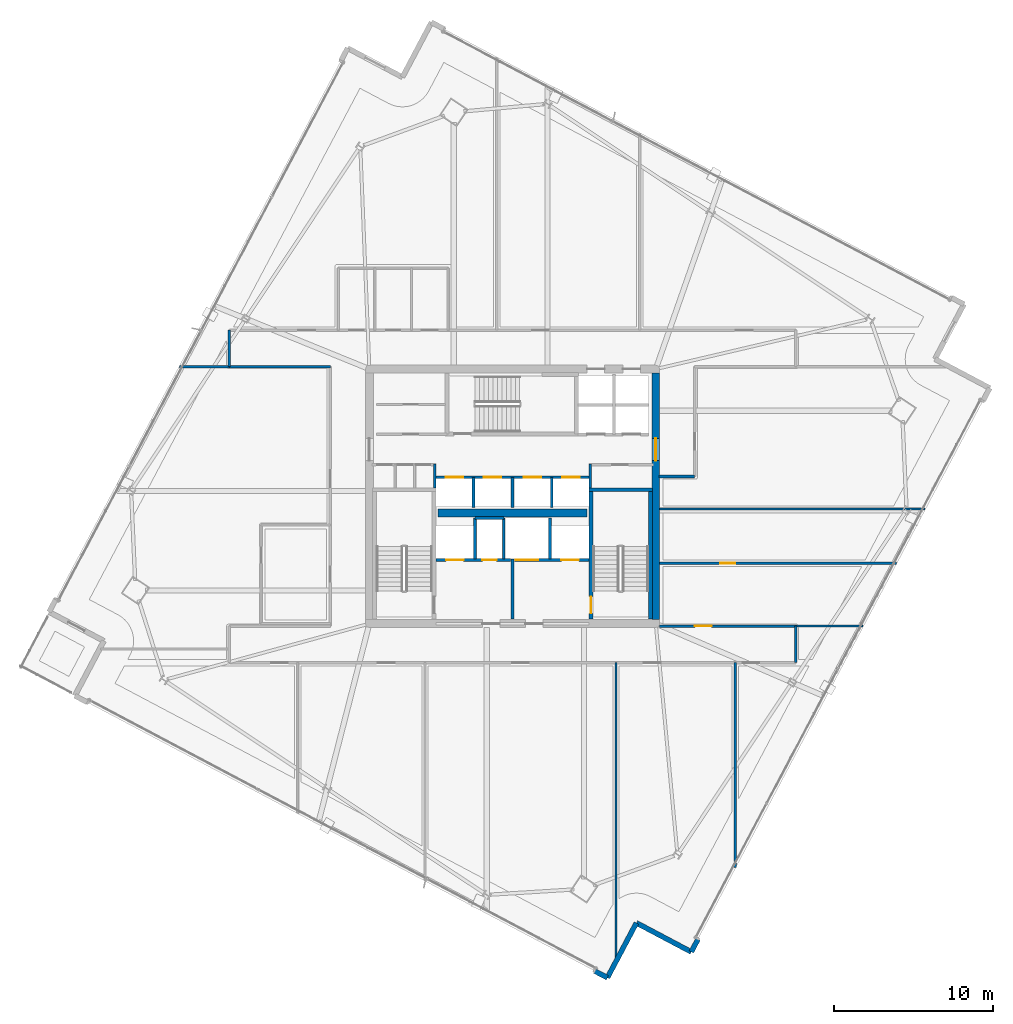
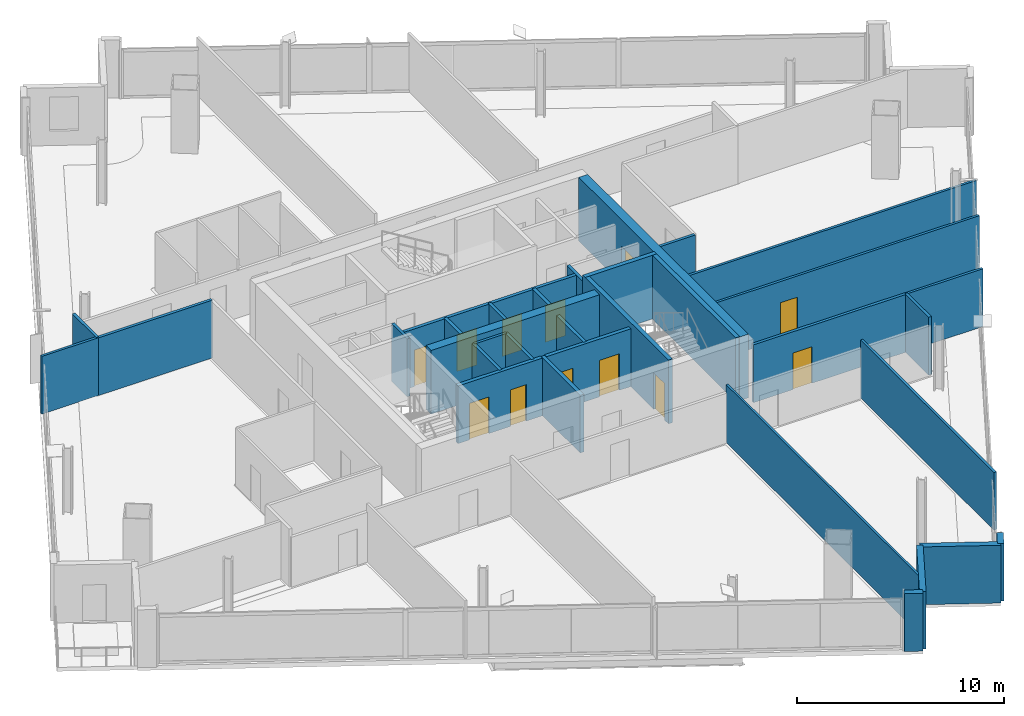
# One storey, part 21 of 28: 33 walls, 12 doors, 12 openings.
"""IFC4 building model written with IfcOpenShell, lengths in metres."""

import ifcopenshell
import ifcopenshell.guid

model = None  # the IFC model being written
_history = None  # IfcOwnerHistory: only IFC2X3 demands one
_inside = {}  # id of a spatial element -> (the spatial element, [elements in it])
_under = {}  # id of a project, library or spatial element -> (it, [spatial elements below it])
_declared = {}  # id of a project -> (the project, [libraries it declares])
_typed = {}  # id of a type object -> (the type object, [elements of that type])
_made_of = {}  # id of a material, layer set ... -> (it, [elements and type objects made of it])


def new_model(schema):
    """Start an empty IFC model of exactly this schema.

    Asked for "IFC4X3", IfcOpenShell would pick the latest addendum, in which some entities
    have other attributes; the version numbers below select the first issue.
    IFC2X3 requires an IfcOwnerHistory on every rooted entity: one is made here for all.
    """
    global model, _history
    if schema == "IFC4X3":
        model = ifcopenshell.file(schema_version=(4, 3, 0, 0))
    else:
        model = ifcopenshell.file(schema=schema)
    _inside.clear()
    _under.clear()
    _declared.clear()
    _typed.clear()
    _made_of.clear()
    _history = None
    if model.schema == "IFC2X3":
        org = make("IfcOrganization", Name="unknown")
        user = make(
            "IfcPersonAndOrganization",
            ThePerson=make("IfcPerson", FamilyName="unknown"),
            TheOrganization=org,
        )
        app = make(
            "IfcApplication",
            ApplicationDeveloper=org,
            Version="unknown",
            ApplicationFullName="unknown",
            ApplicationIdentifier="unknown",
        )
        _history = make(
            "IfcOwnerHistory",
            OwningUser=user,
            OwningApplication=app,
            ChangeAction="ADDED",
            CreationDate=0,
        )
    return model


def make(cls, **values):
    """One entity of the class cls with the attributes given. An attribute that is None is left unset."""
    return model.create_entity(
        cls, **{name: value for name, value in values.items() if value is not None}
    )


def rooted(cls, **values):
    """An entity with a GlobalId (a new one), such as an element, a storey or a relation."""
    return make(cls, GlobalId=ifcopenshell.guid.new(), OwnerHistory=_history, **values)


def si_unit(unit_type, name, prefix=None):
    """IfcSIUnit, for example si_unit("LENGTHUNIT", "METRE", prefix="MILLI")."""
    return make("IfcSIUnit", UnitType=unit_type, Prefix=prefix, Name=name)


def assignment(units):
    """IfcUnitAssignment: the units of a project."""
    return None if units is None else make("IfcUnitAssignment", Units=units)


def point(xyz):
    """IfcCartesianPoint."""
    return None if xyz is None else make("IfcCartesianPoint", Coordinates=xyz)


def direction(xyz):
    """IfcDirection."""
    return None if xyz is None else make("IfcDirection", DirectionRatios=xyz)


def frame(location, z_axis=None, x_axis=None):
    """IfcAxis2Placement3D, a coordinate frame: its origin and axes. An axis left out is left unset."""
    return make(
        "IfcAxis2Placement3D",
        Location=point(location),
        Axis=direction(z_axis),
        RefDirection=direction(x_axis),
    )


def frame_2d(location, x_axis=None):
    """IfcAxis2Placement2D, a coordinate frame in the plane: its origin and x axis."""
    return make(
        "IfcAxis2Placement2D", Location=point(location), RefDirection=direction(x_axis)
    )


def origin():
    """The frame at (0, 0, 0) with its axes left unset."""
    return frame((0.0, 0.0, 0.0))


def place(relative_to, where):
    """IfcLocalPlacement: puts the frame where relative to a parent placement (None: the world)."""
    return make(
        "IfcLocalPlacement", PlacementRelTo=relative_to, RelativePlacement=where
    )


def context(
    kind, dimensions, precision=None, world=None, true_north=None, identifier=None
):
    """IfcGeometricRepresentationContext, for example the 3D "Model" context."""
    return make(
        "IfcGeometricRepresentationContext",
        ContextIdentifier=identifier,
        ContextType=kind,
        CoordinateSpaceDimension=dimensions,
        Precision=precision,
        WorldCoordinateSystem=world,
        TrueNorth=true_north,
    )


def subcontext(parent, identifier, kind, view, scale=None):
    """IfcGeometricRepresentationSubContext, for example "Body" below "Model"."""
    return make(
        "IfcGeometricRepresentationSubContext",
        ContextIdentifier=identifier,
        ContextType=kind,
        ParentContext=parent,
        TargetScale=scale,
        TargetView=view,
    )


def project(units=None, contexts=None):
    """IfcProject with its units and contexts."""
    return rooted(
        "IfcProject",
        Name="project",
        RepresentationContexts=contexts,
        UnitsInContext=assignment(units),
    )


def spatial(cls, under=None, at=None, **own):
    """A site, building, storey or space (cls), placed at a placement, below another one or the project."""
    s = rooted(cls, ObjectPlacement=at, **own)
    if under is not None:
        _under.setdefault(under.id(), (under, []))[1].append(s)
    return s


def profile(cls, at=None, kind="AREA", **sizes):
    """A parametric profile (cls). Its sizes go by their IFC names, for example OverallWidth=200.0."""
    return make(cls, ProfileType=kind, Position=at, **sizes)


def rectangle(**sizes):
    """IfcRectangleProfileDef."""
    return profile("IfcRectangleProfileDef", **sizes)


def extrude(swept, where, along, depth):
    """IfcExtrudedAreaSolid: the profile swept, set in the frame where, extruded along a direction by depth."""
    return make(
        "IfcExtrudedAreaSolid",
        SweptArea=swept,
        Position=where,
        ExtrudedDirection=direction(along),
        Depth=depth,
    )


def shape(context_of_items, identifier, shape_type, items):
    """IfcShapeRepresentation: the items that make up one representation, for example the "Body"."""
    return make(
        "IfcShapeRepresentation",
        ContextOfItems=context_of_items,
        RepresentationIdentifier=identifier,
        RepresentationType=shape_type,
        Items=items,
    )


def material(Name=None, Category=None):
    """IfcMaterial."""
    return make("IfcMaterial", Name=Name, Category=Category)


def layer(
    of_material, thickness, ventilated=None, Name=None, Category=None, Priority=None
):
    """IfcMaterialLayer: one layer of a wall or slab, of a material (None: an air gap)."""
    return make(
        "IfcMaterialLayer",
        Material=of_material,
        LayerThickness=thickness,
        IsVentilated=ventilated,
        Name=Name,
        Category=Category,
        Priority=Priority,
    )


def layer_set(layers, Name=None):
    """IfcMaterialLayerSet."""
    return make("IfcMaterialLayerSet", MaterialLayers=layers, LayerSetName=Name)


def made_of(thing, what):
    """Note that an element or type object is made of a material, layer set ...; save() writes the relation."""
    if what is not None:
        _made_of.setdefault(what.id(), (what, []))[1].append(thing)
    return thing


def type_object(cls, material=None, **own):
    """A type object (cls), such as IfcWallType, which elements share."""
    return made_of(rooted(cls, **own), material)


def element(
    cls,
    number,
    at=None,
    inside=None,
    cuts=None,
    type_object=None,
    material=None,
    context=None,
    identifier="Body",
    shape_type=None,
    held_by="IfcProductDefinitionShape",
    body=None,
    shapes=None,
    **own,
):
    """One element of the class cls, such as IfcWall. Its Tag is "e" and its number.

    at: its placement. inside: the storey or other place that contains it. cuts: it is an
    opening in that element (IfcRelVoidsElement). A single representation is given by context,
    identifier, shape_type and body (its items); several are given by shapes. held_by: the class
    of the entity that holds the representations. save() writes the other relations.
    """
    e = rooted(cls, Tag="e%d" % number, ObjectPlacement=at, **own)
    if body is not None:
        shapes = [shape(context, identifier, shape_type, body)]
    if shapes is not None:
        e.Representation = make(held_by, Representations=shapes)
    if inside is not None:
        _inside.setdefault(inside.id(), (inside, []))[1].append(e)
    if cuts is not None:
        rooted(
            "IfcRelVoidsElement", RelatingBuildingElement=cuts, RelatedOpeningElement=e
        )
    if type_object is not None:
        _typed.setdefault(type_object.id(), (type_object, []))[1].append(e)
    return made_of(e, material)


def fill(opening, filler):
    """IfcRelFillsElement: the door or window that sits in an opening."""
    return rooted(
        "IfcRelFillsElement",
        RelatingOpeningElement=opening,
        RelatedBuildingElement=filler,
    )


def aggregate(whole, parts):
    """IfcRelAggregates: a whole, such as a stair, and the parts it consists of."""
    return rooted("IfcRelAggregates", RelatingObject=whole, RelatedObjects=parts)


def save(model, path):
    """Write the relations noted so far, then the file.

    IfcRelAggregates (storeys below a building ...), IfcRelContainedInSpatialStructure (elements
    in a storey), IfcRelDefinesByType, IfcRelAssociatesMaterial and IfcRelDeclares: one each for
    every whole, place, type object, material and project.
    """
    for whole, parts in _under.values():
        aggregate(whole, parts)
    for where, things in _inside.values():
        rooted(
            "IfcRelContainedInSpatialStructure",
            RelatedElements=things,
            RelatingStructure=where,
        )
    for kind, things in _typed.values():
        rooted("IfcRelDefinesByType", RelatedObjects=things, RelatingType=kind)
    for what, things in _made_of.values():
        rooted("IfcRelAssociatesMaterial", RelatedObjects=things, RelatingMaterial=what)
    for by, libraries in _declared.values():
        rooted("IfcRelDeclares", RelatingContext=by, RelatedDefinitions=libraries)
    model.write(path)


model = new_model("IFC4")

# Units and contexts
model_context = context("Model", 3, precision=1e-05, world=origin(), true_north=direction((0.0, 1.0)))
body_context = subcontext(model_context, "Body", "Model", "MODEL_VIEW")
ifc_project = project(units=[si_unit("LENGTHUNIT", "METRE"), si_unit("AREAUNIT", "SQUARE_METRE"), si_unit("VOLUMEUNIT", "CUBIC_METRE"), si_unit("PLANEANGLEUNIT", "RADIAN"), si_unit("MASSUNIT", "GRAM", prefix="KILO")], contexts=[model_context])

# Site, building, storey
site_placement = place(None, origin())
site = spatial("IfcSite", under=ifc_project, at=site_placement, CompositionType="ELEMENT")
building_placement = place(site_placement, origin())
building = spatial("IfcBuilding", under=site, at=building_placement, Name="Haldenkirk Collegiate Tower", CompositionType="ELEMENT")
storey_placement = place(building_placement, frame((0.0, 0.0, 235.949951171875)))
storey = spatial("IfcBuildingStorey", under=building, at=storey_placement, Name="L59", CompositionType="ELEMENT", Elevation=235.949951171875)

# Wall, opening, door
ifc_material_1 = material(Name="Concrete f'c 55 MPa", Category="concrete")
ifc_layer_1 = layer(ifc_material_1, 0.5)
ifc_layer_set_1 = layer_set([ifc_layer_1], Name="Concrete f'c 55 MPa")
wall_type_1 = type_object("IfcWallType", Name="WL-CORE-500", PredefinedType="SHEAR", material=ifc_layer_set_1)
wall_1_placement = place(storey_placement, frame((45.0, 18.25, 0.0), z_axis=(0.0, 0.0, 1.0), x_axis=(0.0, 1.0, 0.0)))
wall_1 = element("IfcWall", 1, at=wall_1_placement, inside=storey, type_object=wall_type_1, Name="L59 central core shear wall E", PredefinedType="SHEAR", context=body_context, shape_type="SweptSolid", body=[
    extrude(rectangle(XDim=15.5, YDim=0.5, at=frame_2d((7.75, 0.0))), origin(), (0.0, 0.0, 1.0), 3.75),
])
opening_1_placement = place(wall_1_placement, frame((9.989990234375, 0.0, 0.0)))
opening_1 = element("IfcOpeningElement", 2, at=opening_1_placement, cuts=wall_1, Name="Opening D-03", PredefinedType="OPENING", context=body_context, shape_type="SweptSolid", body=[
    extrude(rectangle(XDim=1.39990234375, YDim=2.199951171875, at=frame_2d((0.699951171875, 1.10009765625))), frame((0.0, 0.260009765625, 0.0), z_axis=(0.0, -1.0, 0.0), x_axis=(1.0, 0.0, 0.0)), (0.0, 0.0, 1.0), 0.52001953125),
])
ifc_material_2 = material(Name="Galvanized fire-rated hollow steel door", Category="steel")
ifc_layer_2 = layer(ifc_material_2, 0.06005859375)
ifc_layer_set_2 = layer_set([ifc_layer_2], Name="Galvanized fire-rated hollow steel door")
door_type_1 = type_object("IfcDoorType", Name="DR-LOBBY-FD90-1400", OperationType="NOTDEFINED", PredefinedType="DOOR", material=ifc_layer_set_2)
door_1_placement = place(opening_1_placement, origin())
door_1 = element("IfcDoor", 3, at=door_1_placement, inside=storey, type_object=door_type_1, Name="L59 east lift lobby portal", OperationType="DOUBLE_DOOR_SINGLE_SWING", OverallHeight=2.199951171875, OverallWidth=1.39990234375, PredefinedType="DOOR", context=body_context, shape_type="SweptSolid", body=[
    extrude(rectangle(XDim=1.39990234375, YDim=2.199951171875, at=frame_2d((0.699951171875, 1.10009765625))), frame((0.0, 0.02490234375, 0.0), z_axis=(0.0, -1.0, 0.0), x_axis=(1.0, 0.0, 0.0)), (0.0, 0.0, 1.0), 0.050048828125),
])
fill(opening_1, door_1)

# Walls
wall_2_placement = place(storey_placement, frame((31.31005859375, 24.949951171875, 0.0), z_axis=(0.0, 0.0, 1.0), x_axis=(1.0, 0.0, 0.0)))
element("IfcWall", 4, at=wall_2_placement, inside=storey, type_object=wall_type_1, Name="L59 central core spine shear wall", PredefinedType="SHEAR", context=body_context, shape_type="SweptSolid", body=[
    extrude(rectangle(XDim=9.3798828125, YDim=0.5, at=frame_2d((4.68994140625, 0.0))), origin(), (0.0, 0.0, 1.0), 3.75),
])
ifc_material_3 = material(Name="Precast concrete f'c 40 MPa", Category="concrete")
ifc_layer_3 = layer(ifc_material_3, 0.320068359375)
ifc_layer_set_3 = layer_set([ifc_layer_3], Name="Precast concrete f'c 40 MPa")
wall_type_2 = type_object("IfcWallType", Name="WL-EXT-TWR-320", PredefinedType="STANDARD", material=ifc_layer_set_3)
for number, where, z_axis, x_axis, name in (
    (5, (47.65283203125, -1.838623046875, 0.0), (0.0, 0.0, 1.0), (-0.467925110021, -0.883768120839, 0.0), "L59 precast corner pier SR"),
    (6, (41.960205078125, -4.255615234375, 0.0), (0.0, 0.0, 1.0), (-0.883880286187, 0.46771320239, 0.0), "L59 precast corner pier WL"),
):
    element("IfcWall", number, at=place(storey_placement, frame(where, z_axis=z_axis, x_axis=x_axis)), inside=storey, type_object=wall_type_2, Name=name, PredefinedType="STANDARD", context=body_context, shape_type="SweptSolid", body=[
        extrude(rectangle(XDim=0.89990234375, YDim=0.320068359375, at=frame_2d((0.449951171875, 0.0))), origin(), (0.0, 0.0, 1.0), 3.400146484375),
    ])
for number, where, z_axis, x_axis, name in (
    (7, (43.78515625, -0.80908203125, 0.0), (0.0, 0.0, 1.0), (-0.46795099814, -0.883754413477, 0.0), "L59 bronze precast notch wall 11"),
    (8, (47.231689453125, -2.634033203125, 0.0), (0.0, 0.0, 1.0), (-0.883754413477, 0.46795099814, 0.0), "L59 bronze precast notch wall 12"),
):
    element("IfcWall", number, at=place(storey_placement, frame(where, z_axis=z_axis, x_axis=x_axis)), inside=storey, type_object=wall_type_2, Name=name, PredefinedType="STANDARD", context=body_context, shape_type="SweptSolid", body=[
        extrude(rectangle(XDim=3.89990234375, YDim=0.320068359375, at=frame_2d((1.949951171875, 0.0))), origin(), (0.0, 0.0, 1.0), 3.400146484375),
    ])
ifc_material_4 = material(Name="Acoustic fire-rated gypsum partition", Category="concrete")
ifc_layer_4 = layer(ifc_material_4, 0.159912109375)
ifc_layer_set_4 = layer_set([ifc_layer_4], Name="Acoustic fire-rated gypsum partition")
wall_type_3 = type_object("IfcWallType", Name="WL-INT-CORR-160", PredefinedType="PARTITIONING", material=ifc_layer_set_4)
for number, where, z_axis, x_axis, name in (
    (9, (31.1201171875, 26.5400390625, 0.0), (0.0, 0.0, 1.0), (0.0, 1.0, 0.0), "L59 interior partition IW-L59-VCSW-E"),
    (10, (40.8798828125, 26.5400390625, 0.0), (0.0, 0.0, 1.0), (0.0, 1.0, 0.0), "L59 interior partition IW-L59-VCSE-W"),
):
    element("IfcWall", number, at=place(storey_placement, frame(where, z_axis=z_axis, x_axis=x_axis)), inside=storey, type_object=wall_type_3, Name=name, PredefinedType="PARTITIONING", context=body_context, shape_type="SweptSolid", body=[
        extrude(rectangle(XDim=1.510009765625, YDim=0.159912109375, at=frame_2d((0.7548828125, 0.0))), origin(), (0.0, 0.0, 1.0), 3.400146484375),
    ])

# Wall, opening, door
wall_3_placement = place(storey_placement, frame((45.25, 17.85009765625, 0.0), z_axis=(0.0, 0.0, 1.0), x_axis=(1.0, 0.0, 0.0)))
wall_3 = element("IfcWall", 11, at=wall_3_placement, inside=storey, type_object=wall_type_3, Name="L59 interior partition IW-L59-CSE", PredefinedType="PARTITIONING", context=body_context, shape_type="SweptSolid", body=[
    extrude(rectangle(XDim=8.550048828125, YDim=0.159912109375, at=frame_2d((4.27490234375, 0.0))), origin(), (0.0, 0.0, 1.0), 3.400146484375),
])
opening_2_placement = place(wall_3_placement, frame((2.2109375, 0.0, 0.0)))
opening_2 = element("IfcOpeningElement", 12, at=opening_2_placement, cuts=wall_3, Name="Opening D-09", PredefinedType="OPENING", context=body_context, shape_type="SweptSolid", body=[
    extrude(rectangle(XDim=1.050048828125, YDim=2.14990234375, at=frame_2d((0.52490234375, 1.074951171875))), frame((0.0, 0.08984375, 0.0), z_axis=(0.0, -1.0, 0.0), x_axis=(1.0, 0.0, 0.0)), (0.0, 0.0, 1.0), 0.179931640625),
])
ifc_material_5 = material(Name="Solid-core architectural oak fire door", Category="wood")
ifc_layer_5 = layer(ifc_material_5, 0.06005859375)
ifc_layer_set_5 = layer_set([ifc_layer_5], Name="Solid-core architectural oak fire door")
door_type_2 = type_object("IfcDoorType", Name="DR-INT-FD60-1050", OperationType="NOTDEFINED", PredefinedType="DOOR", material=ifc_layer_set_5)
door_2_placement = place(opening_2_placement, origin())
door_2 = element("IfcDoor", 13, at=door_2_placement, inside=storey, type_object=door_type_2, Name="L59 Graduate Study Lounge 10 door", OperationType="SINGLE_SWING_RIGHT", OverallHeight=2.14990234375, OverallWidth=1.050048828125, PredefinedType="DOOR", context=body_context, shape_type="SweptSolid", body=[
    extrude(rectangle(XDim=1.050048828125, YDim=2.14990234375, at=frame_2d((0.52490234375, 1.074951171875))), frame((0.0, 0.02490234375, 0.0), z_axis=(0.0, -1.0, 0.0), x_axis=(1.0, 0.0, 0.0)), (0.0, 0.0, 1.0), 0.050048828125),
])
fill(opening_2, door_2)

# Walls
wall_4_placement = place(storey_placement, frame((18.199951171875, 34.14990234375, 0.0), z_axis=(0.0, 0.0, 1.0), x_axis=(1.0, 0.0, 0.0)))
element("IfcWall", 14, at=wall_4_placement, inside=storey, type_object=wall_type_3, Name="L59 interior partition IW-L59-CNW", PredefinedType="PARTITIONING", context=body_context, shape_type="SweptSolid", body=[
    extrude(rectangle(XDim=6.35009765625, YDim=0.159912109375, at=frame_2d((3.175048828125, 0.0))), origin(), (0.0, 0.0, 1.0), 3.400146484375),
])
wall_5_placement = place(storey_placement, frame((45.199951171875, 27.25, 0.0), z_axis=(0.0, 0.0, 1.0), x_axis=(1.0, 0.0, 0.0)))
element("IfcWall", 15, at=wall_5_placement, inside=storey, type_object=wall_type_3, Name="L59 interior partition IW-L59-CES", PredefinedType="PARTITIONING", context=body_context, shape_type="SweptSolid", body=[
    extrude(rectangle(XDim=2.25, YDim=0.159912109375, at=frame_2d((1.125, 0.0))), origin(), (0.0, 0.0, 1.0), 3.400146484375),
])
for number, where, z_axis, x_axis, name in (
    (16, (53.800048828125, 15.550048828125, 0.0), (0.0, 0.0, 1.0), (0.0, 1.0, 0.0), "L59 interior partition IW-L59-CSR"),
    (17, (18.199951171875, 34.14990234375, 0.0), (0.0, 0.0, 1.0), (0.0, 1.0, 0.0), "L59 interior partition IW-L59-CNL"),
):
    element("IfcWall", number, at=place(storey_placement, frame(where, z_axis=z_axis, x_axis=x_axis)), inside=storey, type_object=wall_type_3, Name=name, PredefinedType="PARTITIONING", context=body_context, shape_type="SweptSolid", body=[
        extrude(rectangle(XDim=2.300048828125, YDim=0.159912109375, at=frame_2d((1.14990234375, 0.0))), origin(), (0.0, 0.0, 1.0), 3.400146484375),
    ])
ifc_layer_6 = layer(ifc_material_4, 0.139892578125)
ifc_layer_set_6 = layer_set([ifc_layer_6], Name="Acoustic fire-rated gypsum partition")
wall_type_4 = type_object("IfcWallType", Name="WL-INT-DIV-140", PredefinedType="PARTITIONING", material=ifc_layer_set_6)
wall_6_placement = place(storey_placement, frame((15.07080078125, 34.14990234375, 0.0), z_axis=(0.0, 0.0, 1.0), x_axis=(1.0, 0.0, 0.0)))
element("IfcWall", 18, at=wall_6_placement, inside=storey, type_object=wall_type_4, Name="L59 interior partition IW-L59-BWN", PredefinedType="PARTITIONING", context=body_context, shape_type="SweptSolid", body=[
    extrude(rectangle(XDim=3.129150390625, YDim=0.139892578125, at=frame_2d((1.564453125, 0.0))), origin(), (0.0, 0.0, 1.0), 3.400146484375),
])
wall_7_placement = place(storey_placement, frame((53.800048828125, 17.85009765625, 0.0), z_axis=(0.0, 0.0, 1.0), x_axis=(1.0, 0.0, 0.0)))
element("IfcWall", 19, at=wall_7_placement, inside=storey, type_object=wall_type_4, Name="L59 interior partition IW-L59-BES", PredefinedType="PARTITIONING", context=body_context, shape_type="SweptSolid", body=[
    extrude(rectangle(XDim=4.232177734375, YDim=0.139892578125, at=frame_2d((2.1162109375, 0.0))), origin(), (0.0, 0.0, 1.0), 3.400146484375),
])
wall_8_placement = place(storey_placement, frame((50.0, 2.6796875, 0.0), z_axis=(0.0, 0.0, 1.0), x_axis=(0.0, 1.0, 0.0)))
element("IfcWall", 20, at=wall_8_placement, inside=storey, type_object=wall_type_4, Name="L59 interior partition IW-L59-RS4", PredefinedType="PARTITIONING", context=body_context, shape_type="SweptSolid", body=[
    extrude(rectangle(XDim=12.870361328125, YDim=0.139892578125, at=frame_2d((6.43505859375, 0.0))), origin(), (0.0, 0.0, 1.0), 3.400146484375),
])

# Wall, opening, door
wall_9_placement = place(storey_placement, frame((45.25, 21.800048828125, 0.0), z_axis=(0.0, 0.0, 1.0), x_axis=(1.0, 0.0, 0.0)))
wall_9 = element("IfcWall", 21, at=wall_9_placement, inside=storey, type_object=wall_type_4, Name="L59 interior partition IW-L59-RE1", PredefinedType="PARTITIONING", context=body_context, shape_type="SweptSolid", body=[
    extrude(rectangle(XDim=14.873779296875, YDim=0.139892578125, at=frame_2d((7.43701171875, 0.0))), origin(), (0.0, 0.0, 1.0), 3.400146484375),
])
opening_3_placement = place(wall_9_placement, frame((3.7919921875, 0.0, 0.0)))
opening_3 = element("IfcOpeningElement", 22, at=opening_3_placement, cuts=wall_9, Name="Opening D-12", PredefinedType="OPENING", context=body_context, shape_type="SweptSolid", body=[
    extrude(rectangle(XDim=0.949951171875, YDim=2.14990234375, at=frame_2d((0.47509765625, 1.074951171875))), frame((0.0, 0.079833984375, 0.0), z_axis=(0.0, -1.0, 0.0), x_axis=(1.0, 0.0, 0.0)), (0.0, 0.0, 1.0), 0.159912109375),
])
ifc_layer_7 = layer(ifc_material_5, 0.06005859375)
ifc_layer_set_7 = layer_set([ifc_layer_7], Name="Solid-core architectural oak fire door")
door_type_3 = type_object("IfcDoorType", Name="DR-INT-STD-950", OperationType="NOTDEFINED", PredefinedType="DOOR", material=ifc_layer_set_7)
door_3_placement = place(opening_3_placement, origin())
door_3 = element("IfcDoor", 23, at=door_3_placement, inside=storey, type_object=door_type_3, Name="L59 Special Collections Archive 11 door", OperationType="SINGLE_SWING_LEFT", OverallHeight=2.14990234375, OverallWidth=0.949951171875, PredefinedType="DOOR", context=body_context, shape_type="SweptSolid", body=[
    extrude(rectangle(XDim=0.949951171875, YDim=2.14990234375, at=frame_2d((0.47509765625, 1.074951171875))), frame((0.0, 0.02490234375, 0.0), z_axis=(0.0, -1.0, 0.0), x_axis=(1.0, 0.0, 0.0)), (0.0, 0.0, 1.0), 0.050048828125),
])
fill(opening_3, door_3)

# Walls
wall_10_placement = place(storey_placement, frame((45.25, 25.199951171875, 0.0), z_axis=(0.0, 0.0, 1.0), x_axis=(1.0, 0.0, 0.0)))
element("IfcWall", 24, at=wall_10_placement, inside=storey, type_object=wall_type_4, Name="L59 interior partition IW-L59-RE2", PredefinedType="PARTITIONING", context=body_context, shape_type="SweptSolid", body=[
    extrude(rectangle(XDim=16.673828125, YDim=0.139892578125, at=frame_2d((8.3369140625, 0.0))), origin(), (0.0, 0.0, 1.0), 2.779052734375),
])
ifc_material_6 = material(Name="Fire-rated gypsum shaftboard assembly", Category="concrete")
ifc_layer_8 = layer(ifc_material_6, 0.179931640625)
ifc_layer_set_8 = layer_set([ifc_layer_8], Name="Fire-rated gypsum shaftboard assembly")
wall_type_5 = type_object("IfcWallType", Name="WL-INT-SHAFT-180", PredefinedType="PARTITIONING", material=ifc_layer_set_8)
for number, where, z_axis, x_axis, name in (
    (25, (33.64990234375, 22.050048828125, 0.0), (0.0, 0.0, 1.0), (0.0, 1.0, 0.0), "L59 interior partition IW-L59-FL1E"),
    (26, (35.449951171875, 22.050048828125, 0.0), (0.0, 0.0, 1.0), (0.0, 1.0, 0.0), "L59 interior partition IW-L59-GL1W"),
):
    element("IfcWall", number, at=place(storey_placement, frame(where, z_axis=z_axis, x_axis=x_axis)), inside=storey, type_object=wall_type_5, Name=name, PredefinedType="PARTITIONING", context=body_context, shape_type="SweptSolid", body=[
        extrude(rectangle(XDim=2.599853515625, YDim=0.179931640625, at=frame_2d((1.2998046875, 0.0))), origin(), (0.0, 0.0, 1.0), 3.400146484375),
    ])
wall_11_placement = place(storey_placement, frame((33.64990234375, 24.64990234375, 0.0), z_axis=(0.0, 0.0, 1.0), x_axis=(1.0, 0.0, 0.0)))
element("IfcWall", 27, at=wall_11_placement, inside=storey, type_object=wall_type_5, Name="L59 interior partition IW-L59-RSRN", PredefinedType="PARTITIONING", context=body_context, shape_type="SweptSolid", body=[
    extrude(rectangle(XDim=1.800048828125, YDim=0.179931640625, at=frame_2d((0.89990234375, 0.0))), origin(), (0.0, 0.0, 1.0), 3.400146484375),
])
wall_12_placement = place(storey_placement, frame((38.35009765625, 22.050048828125, 0.0), z_axis=(0.0, 0.0, 1.0), x_axis=(0.0, 1.0, 0.0)))
element("IfcWall", 28, at=wall_12_placement, inside=storey, type_object=wall_type_5, Name="L59 interior partition IW-L59-GL1E", PredefinedType="PARTITIONING", context=body_context, shape_type="SweptSolid", body=[
    extrude(rectangle(XDim=2.599853515625, YDim=0.179931640625, at=frame_2d((1.2998046875, 0.0))), origin(), (0.0, 0.0, 1.0), 3.400146484375),
])

# Wall, openings, doors
wall_13_placement = place(storey_placement, frame((31.199951171875, 27.199951171875, 0.0), z_axis=(0.0, 0.0, 1.0), x_axis=(1.0, 0.0, 0.0)))
wall_13 = element("IfcWall", 29, at=wall_13_placement, inside=storey, type_object=wall_type_5, Name="L59 interior partition IW-L59-PHN", PredefinedType="PARTITIONING", context=body_context, shape_type="SweptSolid", body=[
    extrude(rectangle(XDim=9.60009765625, YDim=0.179931640625, at=frame_2d((4.800048828125, 0.0))), origin(), (0.0, 0.0, 1.0), 3.400146484375),
])
opening_4_placement = place(wall_13_placement, frame((0.590087890625, 0.0, 0.0)))
opening_4 = element("IfcOpeningElement", 30, at=opening_4_placement, cuts=wall_13, Name="Opening LD-11", PredefinedType="OPENING", context=body_context, shape_type="SweptSolid", body=[
    extrude(rectangle(XDim=1.10009765625, YDim=2.14990234375, at=frame_2d((0.550048828125, 1.074951171875))), frame((0.0, 0.099853515625, 0.0), z_axis=(0.0, -1.0, 0.0), x_axis=(1.0, 0.0, 0.0)), (0.0, 0.0, 1.0), 0.199951171875),
])
opening_5_placement = place(wall_13_placement, frame((2.989990234375, 0.0, 0.0)))
opening_5 = element("IfcOpeningElement", 31, at=opening_5_placement, cuts=wall_13, Name="Opening LD-11", PredefinedType="OPENING", context=body_context, shape_type="SweptSolid", body=[
    extrude(rectangle(XDim=1.10009765625, YDim=2.14990234375, at=frame_2d((0.550048828125, 1.074951171875))), frame((0.0, 0.099853515625, 0.0), z_axis=(0.0, -1.0, 0.0), x_axis=(1.0, 0.0, 0.0)), (0.0, 0.0, 1.0), 0.199951171875),
])
opening_6_placement = place(wall_13_placement, frame((5.510009765625, 0.0, 0.0)))
opening_6 = element("IfcOpeningElement", 32, at=opening_6_placement, cuts=wall_13, Name="Opening LD-11", PredefinedType="OPENING", context=body_context, shape_type="SweptSolid", body=[
    extrude(rectangle(XDim=1.10009765625, YDim=2.14990234375, at=frame_2d((0.550048828125, 1.074951171875))), frame((0.0, 0.099853515625, 0.0), z_axis=(0.0, -1.0, 0.0), x_axis=(1.0, 0.0, 0.0)), (0.0, 0.0, 1.0), 0.199951171875),
])
opening_7_placement = place(wall_13_placement, frame((7.909912109375, 0.0, 0.0)))
opening_7 = element("IfcOpeningElement", 33, at=opening_7_placement, cuts=wall_13, Name="Opening LD-11", PredefinedType="OPENING", context=body_context, shape_type="SweptSolid", body=[
    extrude(rectangle(XDim=1.10009765625, YDim=2.14990234375, at=frame_2d((0.550048828125, 1.074951171875))), frame((0.0, 0.099853515625, 0.0), z_axis=(0.0, -1.0, 0.0), x_axis=(1.0, 0.0, 0.0)), (0.0, 0.0, 1.0), 0.199951171875),
])
ifc_material_7 = material(Name="Brushed architectural stainless steel", Category="steel")
ifc_layer_9 = layer(ifc_material_7, 0.06005859375)
ifc_layer_set_9 = layer_set([ifc_layer_9], Name="Brushed architectural stainless steel")
door_type_4 = type_object("IfcDoorType", Name="LD-PASS-1100", OperationType="NOTDEFINED", PredefinedType="DOOR", material=ifc_layer_set_9)
door_4_placement = place(opening_4_placement, origin())
door_4 = element("IfcDoor", 34, at=door_4_placement, inside=storey, type_object=door_type_4, Name="L59 Elevator PH1 sliding landing door", OperationType="SLIDING_TO_LEFT", OverallHeight=2.14990234375, OverallWidth=1.10009765625, PredefinedType="DOOR", context=body_context, shape_type="SweptSolid", body=[
    extrude(rectangle(XDim=1.10009765625, YDim=2.14990234375, at=frame_2d((0.550048828125, 1.074951171875))), frame((0.0, 0.02490234375, 0.0), z_axis=(0.0, -1.0, 0.0), x_axis=(1.0, 0.0, 0.0)), (0.0, 0.0, 1.0), 0.050048828125),
])
fill(opening_4, door_4)
door_5_placement = place(opening_5_placement, origin())
door_5 = element("IfcDoor", 35, at=door_5_placement, inside=storey, type_object=door_type_4, Name="L59 Elevator PH2 sliding landing door", OperationType="SLIDING_TO_LEFT", OverallHeight=2.14990234375, OverallWidth=1.10009765625, PredefinedType="DOOR", context=body_context, shape_type="SweptSolid", body=[
    extrude(rectangle(XDim=1.10009765625, YDim=2.14990234375, at=frame_2d((0.550048828125, 1.074951171875))), frame((0.0, 0.02490234375, 0.0), z_axis=(0.0, -1.0, 0.0), x_axis=(1.0, 0.0, 0.0)), (0.0, 0.0, 1.0), 0.050048828125),
])
fill(opening_5, door_5)
door_6_placement = place(opening_6_placement, origin())
door_6 = element("IfcDoor", 36, at=door_6_placement, inside=storey, type_object=door_type_4, Name="L59 Elevator PH3 sliding landing door", OperationType="SLIDING_TO_LEFT", OverallHeight=2.14990234375, OverallWidth=1.10009765625, PredefinedType="DOOR", context=body_context, shape_type="SweptSolid", body=[
    extrude(rectangle(XDim=1.10009765625, YDim=2.14990234375, at=frame_2d((0.550048828125, 1.074951171875))), frame((0.0, 0.02490234375, 0.0), z_axis=(0.0, -1.0, 0.0), x_axis=(1.0, 0.0, 0.0)), (0.0, 0.0, 1.0), 0.050048828125),
])
fill(opening_6, door_6)
door_7_placement = place(opening_7_placement, origin())
door_7 = element("IfcDoor", 37, at=door_7_placement, inside=storey, type_object=door_type_4, Name="L59 Elevator PH4 sliding landing door", OperationType="SLIDING_TO_LEFT", OverallHeight=2.14990234375, OverallWidth=1.10009765625, PredefinedType="DOOR", context=body_context, shape_type="SweptSolid", body=[
    extrude(rectangle(XDim=1.10009765625, YDim=2.14990234375, at=frame_2d((0.550048828125, 1.074951171875))), frame((0.0, 0.02490234375, 0.0), z_axis=(0.0, -1.0, 0.0), x_axis=(1.0, 0.0, 0.0)), (0.0, 0.0, 1.0), 0.050048828125),
])
fill(opening_7, door_7)

# Walls
for number, where, z_axis, x_axis, name in (
    (38, (33.5400390625, 25.300048828125, 0.0), (0.0, 0.0, 1.0), (0.0, 1.0, 0.0), "L59 interior partition IW-L59-PHV1"),
    (39, (36.0, 25.300048828125, 0.0), (0.0, 0.0, 1.0), (0.0, 1.0, 0.0), "L59 interior partition IW-L59-PHV2"),
    (40, (38.4599609375, 25.300048828125, 0.0), (0.0, 0.0, 1.0), (0.0, 1.0, 0.0), "L59 interior partition IW-L59-PHV3"),
):
    element("IfcWall", number, at=place(storey_placement, frame(where, z_axis=z_axis, x_axis=x_axis)), inside=storey, type_object=wall_type_5, Name=name, PredefinedType="PARTITIONING", context=body_context, shape_type="SweptSolid", body=[
        extrude(rectangle(XDim=1.89990234375, YDim=0.179931640625, at=frame_2d((0.949951171875, 0.0))), origin(), (0.0, 0.0, 1.0), 3.400146484375),
    ])
ifc_layer_10 = layer(ifc_material_6, 0.199951171875)
ifc_layer_set_10 = layer_set([ifc_layer_10], Name="Fire-rated gypsum shaftboard assembly")
wall_type_6 = type_object("IfcWallType", Name="WL-INT-SHAFT-200", PredefinedType="PARTITIONING", material=ifc_layer_set_10)
wall_14_placement = place(storey_placement, frame((36.0, 18.280029296875, 0.0), z_axis=(0.0, 0.0, 1.0), x_axis=(0.0, 1.0, 0.0)))
element("IfcWall", 41, at=wall_14_placement, inside=storey, type_object=wall_type_6, Name="L59 interior partition IW-L59-FFLM", PredefinedType="PARTITIONING", context=body_context, shape_type="SweptSolid", body=[
    extrude(rectangle(XDim=3.77001953125, YDim=0.199951171875, at=frame_2d((1.885009765625, 0.0))), origin(), (0.0, 0.0, 1.0), 3.400146484375),
])

# Wall, openings, doors
wall_15_placement = place(storey_placement, frame((31.18994140625, 22.0, 0.0), z_axis=(0.0, 0.0, 1.0), x_axis=(1.0, 0.0, 0.0)))
wall_15 = element("IfcWall", 42, at=wall_15_placement, inside=storey, type_object=wall_type_6, Name="L59 interior partition IW-L59-FFL1N", PredefinedType="PARTITIONING", context=body_context, shape_type="SweptSolid", body=[
    extrude(rectangle(XDim=4.68994140625, YDim=0.199951171875, at=frame_2d((2.344970703125, 0.0))), origin(), (0.0, 0.0, 1.0), 3.400146484375),
])
opening_8_placement = place(wall_15_placement, frame((2.909912109375, 0.0, 0.0)))
opening_8 = element("IfcOpeningElement", 43, at=opening_8_placement, cuts=wall_15, Name="Opening D-06", PredefinedType="OPENING", context=body_context, shape_type="SweptSolid", body=[
    extrude(rectangle(XDim=0.89990234375, YDim=2.14990234375, at=frame_2d((0.449951171875, 1.074951171875))), frame((0.0, 0.10986328125, 0.0), z_axis=(0.0, -1.0, 0.0), x_axis=(1.0, 0.0, 0.0)), (0.0, 0.0, 1.0), 0.219970703125),
])
opening_9_placement = place(wall_15_placement, frame((0.635009765625, 0.0, 0.0)))
opening_9 = element("IfcOpeningElement", 44, at=opening_9_placement, cuts=wall_15, Name="Opening LD-12", PredefinedType="OPENING", context=body_context, shape_type="SweptSolid", body=[
    extrude(rectangle(XDim=1.10009765625, YDim=2.14990234375, at=frame_2d((0.550048828125, 1.074951171875))), frame((0.0, 0.10986328125, 0.0), z_axis=(0.0, -1.0, 0.0), x_axis=(1.0, 0.0, 0.0)), (0.0, 0.0, 1.0), 0.219970703125),
])
ifc_layer_11 = layer(ifc_material_2, 0.06005859375)
ifc_layer_set_11 = layer_set([ifc_layer_11], Name="Galvanized fire-rated hollow steel door")
door_type_5 = type_object("IfcDoorType", Name="DR-INT-FD90-900", OperationType="NOTDEFINED", PredefinedType="DOOR", material=ifc_layer_set_11)
door_8_placement = place(opening_8_placement, origin())
door_8 = element("IfcDoor", 45, at=door_8_placement, inside=storey, type_object=door_type_5, Name="L59 electrical riser door", OperationType="SINGLE_SWING_LEFT", OverallHeight=2.14990234375, OverallWidth=0.89990234375, PredefinedType="DOOR", context=body_context, shape_type="SweptSolid", body=[
    extrude(rectangle(XDim=0.89990234375, YDim=2.14990234375, at=frame_2d((0.449951171875, 1.074951171875))), frame((0.0, 0.02490234375, 0.0), z_axis=(0.0, -1.0, 0.0), x_axis=(1.0, 0.0, 0.0)), (0.0, 0.0, 1.0), 0.050048828125),
])
fill(opening_8, door_8)
ifc_layer_12 = layer(ifc_material_7, 0.06005859375)
ifc_layer_set_12 = layer_set([ifc_layer_12], Name="Brushed architectural stainless steel")
door_type_6 = type_object("IfcDoorType", Name="LD-FIRE-1100", OperationType="NOTDEFINED", PredefinedType="DOOR", material=ifc_layer_set_12)
door_9_placement = place(opening_9_placement, origin())
door_9 = element("IfcDoor", 46, at=door_9_placement, inside=storey, type_object=door_type_6, Name="L59 Elevator FL1 sliding landing door", OperationType="SLIDING_TO_LEFT", OverallHeight=2.14990234375, OverallWidth=1.10009765625, PredefinedType="DOOR", context=body_context, shape_type="SweptSolid", body=[
    extrude(rectangle(XDim=1.10009765625, YDim=2.14990234375, at=frame_2d((0.550048828125, 1.074951171875))), frame((0.0, 0.02490234375, 0.0), z_axis=(0.0, -1.0, 0.0), x_axis=(1.0, 0.0, 0.0)), (0.0, 0.0, 1.0), 0.050048828125),
])
fill(opening_9, door_9)

wall_16_placement = place(storey_placement, frame((36.1201171875, 22.0, 0.0), z_axis=(0.0, 0.0, 1.0), x_axis=(1.0, 0.0, 0.0)))
wall_16 = element("IfcWall", 47, at=wall_16_placement, inside=storey, type_object=wall_type_6, Name="L59 interior partition IW-L59-FFL2N", PredefinedType="PARTITIONING", context=body_context, shape_type="SweptSolid", body=[
    extrude(rectangle(XDim=4.68994140625, YDim=0.199951171875, at=frame_2d((2.344970703125, 0.0))), origin(), (0.0, 0.0, 1.0), 3.400146484375),
])
opening_10_placement = place(wall_16_placement, frame((2.955078125, 0.0, 0.0)))
opening_10 = element("IfcOpeningElement", 48, at=opening_10_placement, cuts=wall_16, Name="Opening LD-12", PredefinedType="OPENING", context=body_context, shape_type="SweptSolid", body=[
    extrude(rectangle(XDim=1.10009765625, YDim=2.14990234375, at=frame_2d((0.550048828125, 1.074951171875))), frame((0.0, 0.10986328125, 0.0), z_axis=(0.0, -1.0, 0.0), x_axis=(1.0, 0.0, 0.0)), (0.0, 0.0, 1.0), 0.219970703125),
])
opening_11_placement = place(wall_16_placement, frame((0.080078125, 0.0, 0.0)))
opening_11 = element("IfcOpeningElement", 49, at=opening_11_placement, cuts=wall_16, Name="Opening LD-13", PredefinedType="OPENING", context=body_context, shape_type="SweptSolid", body=[
    extrude(rectangle(XDim=1.39990234375, YDim=2.199951171875, at=frame_2d((0.699951171875, 1.10009765625))), frame((0.0, 0.10986328125, 0.0), z_axis=(0.0, -1.0, 0.0), x_axis=(1.0, 0.0, 0.0)), (0.0, 0.0, 1.0), 0.219970703125),
])
door_10_placement = place(opening_10_placement, origin())
door_10 = element("IfcDoor", 50, at=door_10_placement, inside=storey, type_object=door_type_6, Name="L59 Elevator FL2 sliding landing door", OperationType="SLIDING_TO_LEFT", OverallHeight=2.14990234375, OverallWidth=1.10009765625, PredefinedType="DOOR", context=body_context, shape_type="SweptSolid", body=[
    extrude(rectangle(XDim=1.10009765625, YDim=2.14990234375, at=frame_2d((0.550048828125, 1.074951171875))), frame((0.0, 0.02490234375, 0.0), z_axis=(0.0, -1.0, 0.0), x_axis=(1.0, 0.0, 0.0)), (0.0, 0.0, 1.0), 0.050048828125),
])
fill(opening_10, door_10)
ifc_layer_13 = layer(ifc_material_7, 0.06005859375)
ifc_layer_set_13 = layer_set([ifc_layer_13], Name="Brushed architectural stainless steel")
door_type_7 = type_object("IfcDoorType", Name="LD-GOODS-1400", OperationType="NOTDEFINED", PredefinedType="DOOR", material=ifc_layer_set_13)
door_11_placement = place(opening_11_placement, origin())
door_11 = element("IfcDoor", 51, at=door_11_placement, inside=storey, type_object=door_type_7, Name="L59 Elevator GL1 sliding landing door", OperationType="SLIDING_TO_LEFT", OverallHeight=2.199951171875, OverallWidth=1.39990234375, PredefinedType="DOOR", context=body_context, shape_type="SweptSolid", body=[
    extrude(rectangle(XDim=1.39990234375, YDim=2.199951171875, at=frame_2d((0.699951171875, 1.10009765625))), frame((0.0, 0.02490234375, 0.0), z_axis=(0.0, -1.0, 0.0), x_axis=(1.0, 0.0, 0.0)), (0.0, 0.0, 1.0), 0.050048828125),
])
fill(opening_11, door_11)

# Wall
ifc_layer_14 = layer(ifc_material_4, 0.1201171875)
ifc_layer_set_14 = layer_set([ifc_layer_14], Name="Acoustic fire-rated gypsum partition")
wall_type_7 = type_object("IfcWallType", Name="WL-INT-WET-120", PredefinedType="PARTITIONING", material=ifc_layer_set_14)
wall_17_placement = place(storey_placement, frame((42.5, -3.15087890625, 0.0), z_axis=(0.0, 0.0, 1.0), x_axis=(0.0, 1.0, 0.0)))
element("IfcWall", 52, at=wall_17_placement, inside=storey, type_object=wall_type_7, Name="L59 interior partition IW-L59-RS3", PredefinedType="PARTITIONING", context=body_context, shape_type="SweptSolid", body=[
    extrude(rectangle(XDim=18.700927734375, YDim=0.1201171875, at=frame_2d((9.3505859375, 0.0))), origin(), (0.0, 0.0, 1.0), 3.400146484375),
])

# Wall, opening, door
ifc_layer_15 = layer(ifc_material_1, 0.239990234375)
ifc_layer_set_15 = layer_set([ifc_layer_15], Name="Concrete f'c 55 MPa")
wall_type_8 = type_object("IfcWallType", Name="WL-SHAFT-240", PredefinedType="SHEAR", material=ifc_layer_set_15)
wall_18_placement = place(storey_placement, frame((40.929931640625, 18.280029296875, 0.0), z_axis=(0.0, 0.0, 1.0), x_axis=(0.0, 1.0, 0.0)))
wall_18 = element("IfcWall", 53, at=wall_18_placement, inside=storey, type_object=wall_type_8, Name="L59 stair shaft shear wall SW-L59-ST2W", PredefinedType="SHEAR", context=body_context, shape_type="SweptSolid", body=[
    extrude(rectangle(XDim=8.260009765625, YDim=0.239990234375, at=frame_2d((4.1298828125, 0.0))), origin(), (0.0, 0.0, 1.0), 3.75),
])
opening_12_placement = place(wall_18_placement, frame((0.364990234375, 0.0, 0.0)))
opening_12 = element("IfcOpeningElement", 54, at=opening_12_placement, cuts=wall_18, Name="Opening D-01", PredefinedType="OPENING", context=body_context, shape_type="SweptSolid", body=[
    extrude(rectangle(XDim=1.050048828125, YDim=2.14990234375, at=frame_2d((0.52490234375, 1.074951171875))), frame((0.0, 0.1298828125, 0.0), z_axis=(0.0, -1.0, 0.0), x_axis=(1.0, 0.0, 0.0)), (0.0, 0.0, 1.0), 0.260009765625),
])
ifc_layer_16 = layer(ifc_material_2, 0.06005859375)
ifc_layer_set_16 = layer_set([ifc_layer_16], Name="Galvanized fire-rated hollow steel door")
door_type_8 = type_object("IfcDoorType", Name="DR-STAIR-FD90-1050", OperationType="NOTDEFINED", PredefinedType="DOOR", material=ifc_layer_set_16)
door_12_placement = place(opening_12_placement, origin())
door_12 = element("IfcDoor", 55, at=door_12_placement, inside=storey, type_object=door_type_8, Name="L59 Stair 2 door", OperationType="SINGLE_SWING_RIGHT", OverallHeight=2.14990234375, OverallWidth=1.050048828125, PredefinedType="DOOR", context=body_context, shape_type="SweptSolid", body=[
    extrude(rectangle(XDim=1.050048828125, YDim=2.14990234375, at=frame_2d((0.52490234375, 1.074951171875))), frame((0.0, 0.02490234375, 0.0), z_axis=(0.0, -1.0, 0.0), x_axis=(1.0, 0.0, 0.0)), (0.0, 0.0, 1.0), 0.050048828125),
])
fill(opening_12, door_12)

# Walls
wall_19_placement = place(storey_placement, frame((40.81005859375, 26.419921875, 0.0), z_axis=(0.0, 0.0, 1.0), x_axis=(1.0, 0.0, 0.0)))
element("IfcWall", 56, at=wall_19_placement, inside=storey, type_object=wall_type_8, Name="L59 stair shaft shear wall SW-L59-ST2N", PredefinedType="SHEAR", context=body_context, shape_type="SweptSolid", body=[
    extrude(rectangle(XDim=3.97998046875, YDim=0.239990234375, at=frame_2d((1.989990234375, 0.0))), origin(), (0.0, 0.0, 1.0), 3.75),
])
wall_20_placement = place(storey_placement, frame((44.669921875, 18.280029296875, 0.0), z_axis=(0.0, 0.0, 1.0), x_axis=(0.0, 1.0, 0.0)))
element("IfcWall", 57, at=wall_20_placement, inside=storey, type_object=wall_type_8, Name="L59 stair shaft shear wall SW-L59-ST2E", PredefinedType="SHEAR", context=body_context, shape_type="SweptSolid", body=[
    extrude(rectangle(XDim=8.260009765625, YDim=0.239990234375, at=frame_2d((4.1298828125, 0.0))), origin(), (0.0, 0.0, 1.0), 3.75),
])

save(model, "model.ifc")
